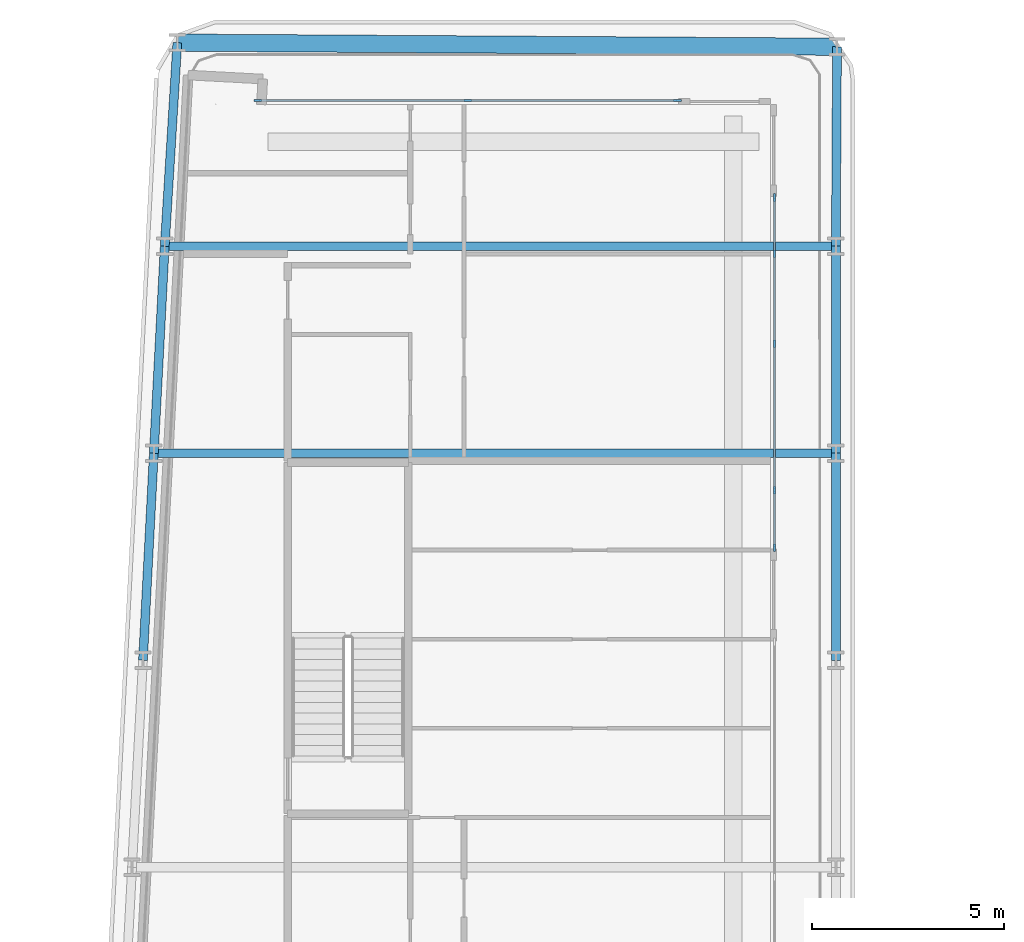
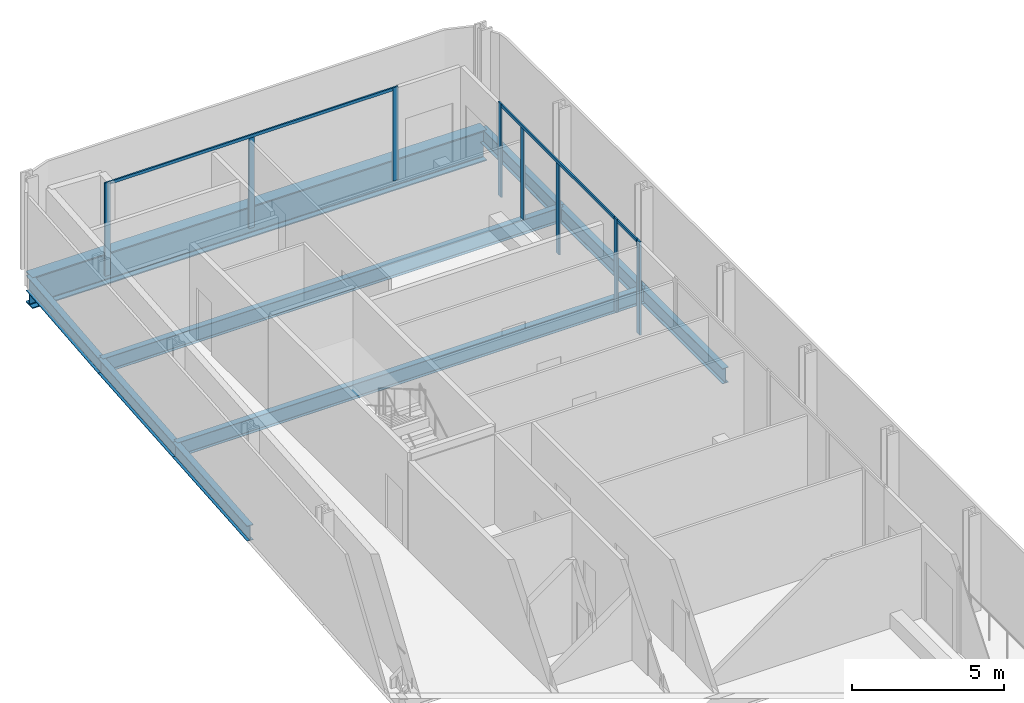
# One storey, part 9 of 29: 11 members, 9 beams, 3 elements without a shape of their own.
"""IFC4 building model written with IfcOpenShell, lengths in metres."""

from ifc_helpers import new_model, si_unit, direction, frame, origin, origin_2d, place, context, subcontext, project, spatial, rectangle, i_section, extrude, material, layer, layer_set, material_profile, profile_set, type_object, element, aggregate, save


model = new_model("IFC4")

# Units and contexts
model_context = context("Model", 3, precision=1e-05, world=origin(), true_north=direction((0.0, 1.0)))
body_context = subcontext(model_context, "Body", "Model", "MODEL_VIEW")
ifc_project = project(units=[si_unit("LENGTHUNIT", "METRE"), si_unit("AREAUNIT", "SQUARE_METRE"), si_unit("VOLUMEUNIT", "CUBIC_METRE"), si_unit("PLANEANGLEUNIT", "RADIAN"), si_unit("MASSUNIT", "GRAM", prefix="KILO")], contexts=[model_context])

# Site, building, storey
site_placement = place(None, origin())
site = spatial("IfcSite", under=ifc_project, at=site_placement, CompositionType="ELEMENT")
building_placement = place(site_placement, origin())
building = spatial("IfcBuilding", under=site, at=building_placement, Name="Kheshtan School and Residences Tower", CompositionType="ELEMENT")
storey_placement = place(building_placement, frame((0.0, 0.0, 69.5)))
storey = spatial("IfcBuildingStorey", under=building, at=storey_placement, Name="L16", CompositionType="ELEMENT", Elevation=69.5)

# Beams
ifc_material_1 = material(Name="Steel ASTM A992 Grade 50", Category="steel")
ifc_material_profile_1 = material_profile(ifc_material_1, i_section(OverallWidth=0.22802734375, OverallDepth=0.60302734375, WebThickness=0.010498046875, FlangeThickness=0.014892578125, FilletRadius=0.013427734375, at=origin_2d()), Name="W610x101")
ifc_profile_set_1 = profile_set([ifc_material_profile_1], Name="Steel ASTM A992 Grade 50")
beam_type_1 = type_object("IfcBeamType", Name="Beam FB5 W610x101 ASTM A992 Grade 50", PredefinedType="BEAM", material=ifc_profile_set_1)
beam_1_placement = place(storey_placement, frame((47.60009765625, 94.199951171875, -0.451416015625), z_axis=(-1.0, 0.0, 0.0), x_axis=(0.0, -1.0, 0.0)))
element("IfcBeam", 1, at=beam_1_placement, inside=storey, type_object=beam_type_1, Name="Floor beam C107", PredefinedType="BEAM", context=body_context, shape_type="SweptSolid", body=[
    extrude(i_section(OverallWidth=0.22802734375, OverallDepth=0.60302734375, WebThickness=0.010498046875, FlangeThickness=0.014892578125, FilletRadius=0.013427734375, at=origin_2d()), origin(), (0.0, 0.0, 1.0), 17.505126953125),
])
beam_2_placement = place(storey_placement, frame((29.81103515625, 88.800048828125, -0.451416015625), z_axis=(1.0, 0.0, 0.0), x_axis=(0.0, 1.0, 0.0)))
element("IfcBeam", 2, at=beam_2_placement, inside=storey, type_object=beam_type_1, Name="Floor beam C098", PredefinedType="BEAM", context=body_context, shape_type="SweptSolid", body=[
    extrude(i_section(OverallWidth=0.22802734375, OverallDepth=0.60302734375, WebThickness=0.010498046875, FlangeThickness=0.014892578125, FilletRadius=0.013427734375, at=origin_2d()), origin(), (0.0, 0.0, 1.0), 17.7890625),
])
ifc_material_profile_2 = material_profile(ifc_material_1, i_section(OverallWidth=0.22998046875, OverallDepth=0.616943359375, WebThickness=0.01318359375, FlangeThickness=0.022216796875, FilletRadius=0.0185546875, at=origin_2d()), Name="W610x140")
ifc_profile_set_2 = profile_set([ifc_material_profile_2], Name="Steel ASTM A992 Grade 50")
beam_type_2 = type_object("IfcBeamType", Name="Beam SP1 W610x140 ASTM A992 Grade 50", PredefinedType="BEAM", material=ifc_profile_set_2)
beam_3_placement = place(storey_placement, frame((47.6298828125, 99.402099609375, -0.45849609375), z_axis=(-0.005725455245, -0.999983609447, 0.0), x_axis=(0.999983609447, -0.005725455245, 0.0)))
element("IfcBeam", 3, at=beam_3_placement, inside=storey, type_object=beam_type_2, Name="Spandrel beam C113-C107", PredefinedType="BEAM", context=body_context, shape_type="SweptSolid", body=[
    extrude(i_section(OverallWidth=0.22998046875, OverallDepth=0.616943359375, WebThickness=0.01318359375, FlangeThickness=0.022216796875, FilletRadius=0.0185546875, at=origin_2d()), origin(), (0.0, 0.0, 1.0), 5.2021484375),
])
beam_4_placement = place(storey_placement, frame((47.60009765625, 94.199951171875, -0.45849609375), z_axis=(0.0, -1.0, 0.0), x_axis=(1.0, 0.0, 0.0)))
element("IfcBeam", 4, at=beam_4_placement, inside=storey, type_object=beam_type_2, Name="Spandrel beam C107-C099", PredefinedType="BEAM", context=body_context, shape_type="SweptSolid", body=[
    extrude(i_section(OverallWidth=0.22998046875, OverallDepth=0.616943359375, WebThickness=0.01318359375, FlangeThickness=0.022216796875, FilletRadius=0.0185546875, at=origin_2d()), origin(), (0.0, 0.0, 1.0), 5.39990234375),
])
beam_5_placement = place(storey_placement, frame((47.60009765625, 88.800048828125, -0.45849609375), z_axis=(0.0, -1.0, 0.0), x_axis=(1.0, 0.0, 0.0)))
element("IfcBeam", 5, at=beam_5_placement, inside=storey, type_object=beam_type_2, Name="Spandrel beam C099-C091", PredefinedType="BEAM", context=body_context, shape_type="SweptSolid", body=[
    extrude(i_section(OverallWidth=0.22998046875, OverallDepth=0.616943359375, WebThickness=0.01318359375, FlangeThickness=0.022216796875, FilletRadius=0.0185546875, at=origin_2d()), origin(), (0.0, 0.0, 1.0), 5.400146484375),
])
beam_6_placement = place(storey_placement, frame((29.527099609375, 83.39990234375, -0.45849609375), z_axis=(0.05250670125, 0.998620571751, 0.0), x_axis=(-0.998620571751, 0.05250670125, 0.0)))
element("IfcBeam", 6, at=beam_6_placement, inside=storey, type_object=beam_type_2, Name="Spandrel beam C090-C098", PredefinedType="BEAM", context=body_context, shape_type="SweptSolid", body=[
    extrude(i_section(OverallWidth=0.22998046875, OverallDepth=0.616943359375, WebThickness=0.01318359375, FlangeThickness=0.022216796875, FilletRadius=0.0185546875, at=origin_2d()), origin(), (0.0, 0.0, 1.0), 5.40771484375),
])
beam_7_placement = place(storey_placement, frame((29.81103515625, 88.800048828125, -0.45849609375), z_axis=(0.05250906864, 0.998620447272, 0.0), x_axis=(-0.998620447272, 0.05250906864, 0.0)))
element("IfcBeam", 7, at=beam_7_placement, inside=storey, type_object=beam_type_2, Name="Spandrel beam C098-C106", PredefinedType="BEAM", context=body_context, shape_type="SweptSolid", body=[
    extrude(i_section(OverallWidth=0.22998046875, OverallDepth=0.616943359375, WebThickness=0.01318359375, FlangeThickness=0.022216796875, FilletRadius=0.0185546875, at=origin_2d()), origin(), (0.0, 0.0, 1.0), 5.407470703125),
])
beam_8_placement = place(storey_placement, frame((30.094970703125, 94.199951171875, -0.45849609375), z_axis=(0.061858321816, 0.998084940284, 0.0), x_axis=(-0.998084940284, 0.061858321816, 0.0)))
element("IfcBeam", 8, at=beam_8_placement, inside=storey, type_object=beam_type_2, Name="Spandrel beam C106-C121", PredefinedType="BEAM", context=body_context, shape_type="SweptSolid", body=[
    extrude(i_section(OverallWidth=0.22998046875, OverallDepth=0.616943359375, WebThickness=0.01318359375, FlangeThickness=0.022216796875, FilletRadius=0.0185546875, at=origin_2d()), origin(), (0.0, 0.0, 1.0), 5.3203125),
])

# Curtain wall, members
ifc_material_2 = material(Name="Clear low-e glass in thermally broken aluminium frame", Category="aluminium")
ifc_layer = layer(ifc_material_2, 0.199951171875)
ifc_layer_set = layer_set([ifc_layer], Name="Curtain wall CW-L")
curtain_wall_type = type_object("IfcCurtainWallType", Name="Curtain wall CW-L", PredefinedType="NOTDEFINED", material=ifc_layer_set)
curtain_wall_1_placement = place(storey_placement, origin())
curtain_wall_1 = element("IfcCurtainWall", 9, at=curtain_wall_1_placement, inside=storey, type_object=curtain_wall_type, Name="Curtain wall CWL7", PredefinedType="NOTDEFINED")
ifc_material_3 = material(Name="Thermally broken aluminium, dark bronze anodised", Category="aluminium")
ifc_material_profile_3 = material_profile(ifc_material_3, rectangle(XDim=0.06005859375, YDim=0.199951171875, at=origin_2d()), Name="CW-L mullion 60x200")
ifc_profile_set_3 = profile_set([ifc_material_profile_3], Name="Thermally broken aluminium, dark bronze anodised")
member_type_1 = type_object("IfcMemberType", Name="CW-L mullion 60x200", PredefinedType="MULLION", material=ifc_profile_set_3)
member_1_placement = place(storey_placement, frame((32.52197265625, 98.0, 0.0), z_axis=(0.0, 0.0, 1.0), x_axis=(0.0, 1.0, 0.0)))
member_1 = element("IfcMember", 10, at=member_1_placement, type_object=member_type_1, Name="CWL7 mullion 1", PredefinedType="MULLION", context=body_context, shape_type="SweptSolid", body=[
    extrude(rectangle(XDim=0.06005859375, YDim=0.199951171875, at=origin_2d()), origin(), (0.0, 0.0, 1.0), 3.75),
])
member_2_placement = place(storey_placement, frame((37.99609375, 98.0, 0.0), z_axis=(0.0, 0.0, 1.0), x_axis=(0.0, 1.0, 0.0)))
member_2 = element("IfcMember", 11, at=member_2_placement, type_object=member_type_1, Name="CWL7 mullion 2", PredefinedType="MULLION", context=body_context, shape_type="SweptSolid", body=[
    extrude(rectangle(XDim=0.06005859375, YDim=0.199951171875, at=origin_2d()), origin(), (0.0, 0.0, 1.0), 3.6298828125),
])
member_3_placement = place(storey_placement, frame((43.469970703125, 98.0, 0.0), z_axis=(0.0, 0.0, 1.0), x_axis=(0.0, 1.0, 0.0)))
member_3 = element("IfcMember", 12, at=member_3_placement, type_object=member_type_1, Name="CWL7 mullion 3", PredefinedType="MULLION", context=body_context, shape_type="SweptSolid", body=[
    extrude(rectangle(XDim=0.06005859375, YDim=0.199951171875, at=origin_2d()), origin(), (0.0, 0.0, 1.0), 3.75),
])

curtain_wall_2_placement = place(storey_placement, origin())
curtain_wall_2 = element("IfcCurtainWall", 13, at=curtain_wall_2_placement, inside=storey, type_object=curtain_wall_type, Name="Curtain wall CWL8c", PredefinedType="NOTDEFINED")
member_4_placement = place(storey_placement, frame((46.0, 95.469970703125, 0.0), z_axis=(0.0, 0.0, 1.0), x_axis=(1.0, 0.0, 0.0)))
member_4 = element("IfcMember", 14, at=member_4_placement, type_object=member_type_1, Name="CWL8c mullion 1", PredefinedType="MULLION", context=body_context, shape_type="SweptSolid", body=[
    extrude(rectangle(XDim=0.06005859375, YDim=0.199951171875, at=origin_2d()), origin(), (0.0, 0.0, 1.0), 3.75),
])
member_5_placement = place(storey_placement, frame((46.0, 94.0, 0.0), z_axis=(0.0, 0.0, 1.0), x_axis=(1.0, 0.0, 0.0)))
member_5 = element("IfcMember", 15, at=member_5_placement, type_object=member_type_1, Name="CWL8c mullion 2", PredefinedType="MULLION", context=body_context, shape_type="SweptSolid", body=[
    extrude(rectangle(XDim=0.06005859375, YDim=0.199951171875, at=origin_2d()), origin(), (0.0, 0.0, 1.0), 3.6298828125),
])
member_6_placement = place(storey_placement, frame((46.0, 91.653076171875, 0.0), z_axis=(0.0, 0.0, 1.0), x_axis=(1.0, 0.0, 0.0)))
member_6 = element("IfcMember", 16, at=member_6_placement, type_object=member_type_1, Name="CWL8c mullion 3", PredefinedType="MULLION", context=body_context, shape_type="SweptSolid", body=[
    extrude(rectangle(XDim=0.06005859375, YDim=0.199951171875, at=origin_2d()), origin(), (0.0, 0.0, 1.0), 3.6298828125),
])
member_7_placement = place(storey_placement, frame((46.0, 87.8359375, 0.0), z_axis=(0.0, 0.0, 1.0), x_axis=(1.0, 0.0, 0.0)))
member_7 = element("IfcMember", 17, at=member_7_placement, type_object=member_type_1, Name="CWL8c mullion 4", PredefinedType="MULLION", context=body_context, shape_type="SweptSolid", body=[
    extrude(rectangle(XDim=0.06005859375, YDim=0.199951171875, at=origin_2d()), origin(), (0.0, 0.0, 1.0), 3.75),
])

# Curtain wall, member
curtain_wall_3_placement = place(storey_placement, origin())
curtain_wall_3 = element("IfcCurtainWall", 18, at=curtain_wall_3_placement, inside=storey, type_object=curtain_wall_type, Name="Curtain wall CWL8a", PredefinedType="NOTDEFINED")
member_8_placement = place(storey_placement, frame((46.0, 86.3359375, 0.0), z_axis=(0.0, 0.0, 1.0), x_axis=(1.0, 0.0, 0.0)))
member_8 = element("IfcMember", 19, at=member_8_placement, type_object=member_type_1, Name="CWL8a mullion 2", PredefinedType="MULLION", context=body_context, shape_type="SweptSolid", body=[
    extrude(rectangle(XDim=0.06005859375, YDim=0.199951171875, at=origin_2d()), origin(), (0.0, 0.0, 1.0), 3.75),
])

# Member
ifc_material_profile_4 = material_profile(ifc_material_3, rectangle(XDim=0.06005859375, YDim=0.1201171875, at=origin_2d()), Name="CW-L transom 60x120")
ifc_profile_set_4 = profile_set([ifc_material_profile_4], Name="Thermally broken aluminium, dark bronze anodised")
member_type_2 = type_object("IfcMemberType", Name="CW-L transom 60x120", PredefinedType="USERDEFINED", material=ifc_profile_set_4)
member_9_placement = place(storey_placement, frame((32.552001953125, 98.0, 3.68994140625), z_axis=(1.0, 0.0, 0.0), x_axis=(0.0, 1.0, 0.0)))
member_9 = element("IfcMember", 20, at=member_9_placement, type_object=member_type_2, Name="CWL7 transom 1", ObjectType="TRANSOM", PredefinedType="USERDEFINED", context=body_context, shape_type="SweptSolid", body=[
    extrude(rectangle(XDim=0.06005859375, YDim=0.1201171875, at=origin_2d()), origin(), (0.0, 0.0, 1.0), 10.887939453125),
])

aggregate(curtain_wall_1, [member_1, member_2, member_3, member_9])

member_10_placement = place(storey_placement, frame((46.0, 95.43994140625, 3.68994140625), z_axis=(0.0, -1.0, 0.0), x_axis=(1.0, 0.0, 0.0)))
member_10 = element("IfcMember", 21, at=member_10_placement, type_object=member_type_2, Name="CWL8c transom 1", ObjectType="TRANSOM", PredefinedType="USERDEFINED", context=body_context, shape_type="SweptSolid", body=[
    extrude(rectangle(XDim=0.06005859375, YDim=0.1201171875, at=origin_2d()), origin(), (0.0, 0.0, 1.0), 7.573974609375),
])

aggregate(curtain_wall_2, [member_4, member_5, member_6, member_7, member_10])

member_11_placement = place(storey_placement, frame((46.0, 87.805908203125, 3.68994140625), z_axis=(0.0, -1.0, 0.0), x_axis=(1.0, 0.0, 0.0)))
member_11 = element("IfcMember", 22, at=member_11_placement, type_object=member_type_2, Name="CWL8a transom 1", ObjectType="TRANSOM", PredefinedType="USERDEFINED", context=body_context, shape_type="SweptSolid", body=[
    extrude(rectangle(XDim=0.06005859375, YDim=0.1201171875, at=origin_2d()), origin(), (0.0, 0.0, 1.0), 1.43994140625),
])

aggregate(curtain_wall_3, [member_8, member_11])

# Beam
ifc_material_profile_5 = material_profile(ifc_material_1, i_section(OverallWidth=0.449951171875, OverallDepth=1.25, WebThickness=0.02490234375, FlangeThickness=0.044921875, FilletRadius=0.03759765625, at=origin_2d()), Name="WWF1250x546")
ifc_profile_set_5 = profile_set([ifc_material_profile_5], Name="Steel ASTM A992 Grade 50")
beam_type_3 = type_object("IfcBeamType", Name="Transfer girder TG4 WWF1250x546 ASTM A992 Grade 50", PredefinedType="BEAM", material=ifc_profile_set_5)
beam_9_placement = place(storey_placement, frame((30.424072265625, 99.510009765625, -0.77490234375), z_axis=(0.999980333297, -0.006271604219, 0.0), x_axis=(0.006271604219, 0.999980333297, 0.0)))
element("IfcBeam", 23, at=beam_9_placement, inside=storey, type_object=beam_type_3, Name="Transfer girder C121-C113", PredefinedType="BEAM", context=body_context, shape_type="SweptSolid", body=[
    extrude(i_section(OverallWidth=0.449951171875, OverallDepth=1.25, WebThickness=0.02490234375, FlangeThickness=0.044921875, FilletRadius=0.03759765625, at=origin_2d()), origin(), (0.0, 0.0, 1.0), 17.2060546875),
])

save(model, "model.ifc")
